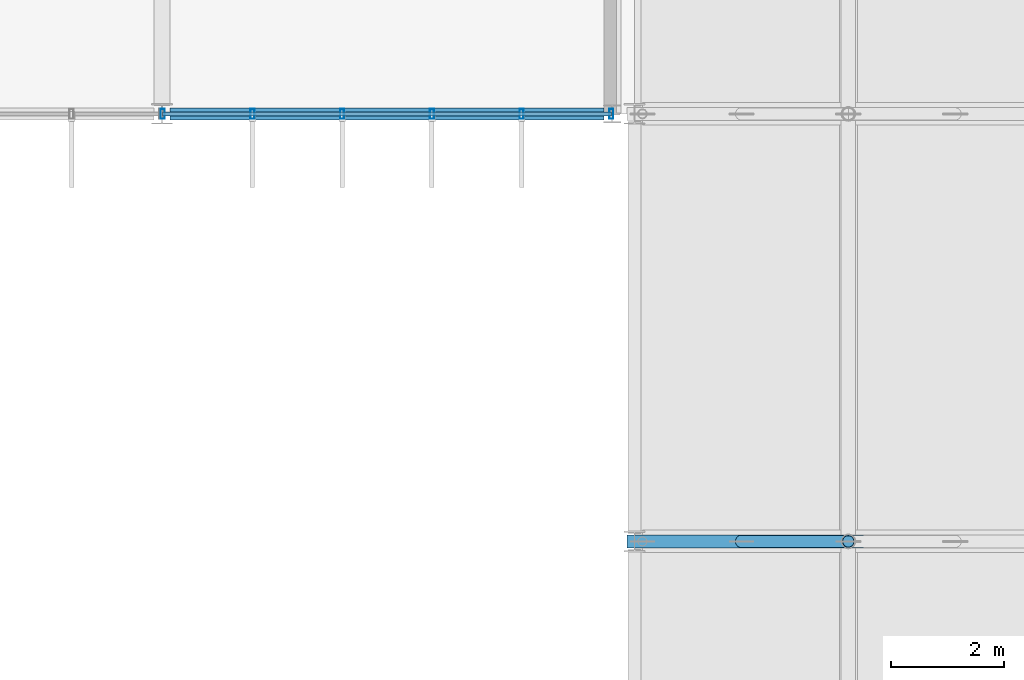
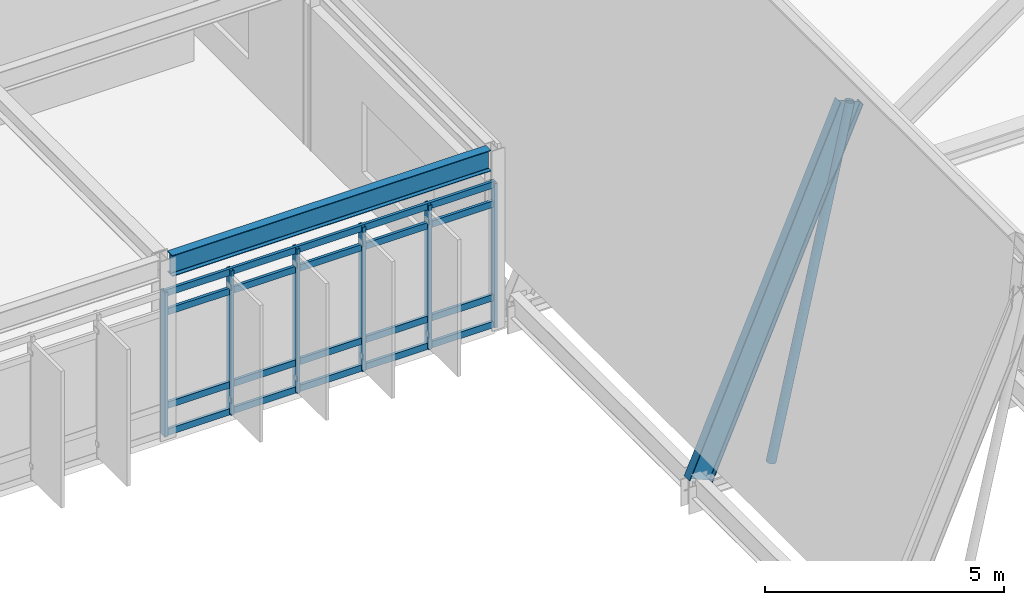
# One storey, part 44 of 100: 11 members, 2 beams, 1 element without a shape of its own.
"""IFC4 building model written with IfcOpenShell, lengths in metres."""

import ifcopenshell
import ifcopenshell.guid

model = None  # the IFC model being written
_history = None  # IfcOwnerHistory: only IFC2X3 demands one
_inside = {}  # id of a spatial element -> (the spatial element, [elements in it])
_under = {}  # id of a project, library or spatial element -> (it, [spatial elements below it])
_declared = {}  # id of a project -> (the project, [libraries it declares])
_typed = {}  # id of a type object -> (the type object, [elements of that type])
_made_of = {}  # id of a material, layer set ... -> (it, [elements and type objects made of it])


def new_model(schema):
    """Start an empty IFC model of exactly this schema.

    Asked for "IFC4X3", IfcOpenShell would pick the latest addendum, in which some entities
    have other attributes; the version numbers below select the first issue.
    IFC2X3 requires an IfcOwnerHistory on every rooted entity: one is made here for all.
    """
    global model, _history
    if schema == "IFC4X3":
        model = ifcopenshell.file(schema_version=(4, 3, 0, 0))
    else:
        model = ifcopenshell.file(schema=schema)
    _inside.clear()
    _under.clear()
    _declared.clear()
    _typed.clear()
    _made_of.clear()
    _history = None
    if model.schema == "IFC2X3":
        org = make("IfcOrganization", Name="unknown")
        user = make(
            "IfcPersonAndOrganization",
            ThePerson=make("IfcPerson", FamilyName="unknown"),
            TheOrganization=org,
        )
        app = make(
            "IfcApplication",
            ApplicationDeveloper=org,
            Version="unknown",
            ApplicationFullName="unknown",
            ApplicationIdentifier="unknown",
        )
        _history = make(
            "IfcOwnerHistory",
            OwningUser=user,
            OwningApplication=app,
            ChangeAction="ADDED",
            CreationDate=0,
        )
    return model


def make(cls, **values):
    """One entity of the class cls with the attributes given. An attribute that is None is left unset."""
    return model.create_entity(
        cls, **{name: value for name, value in values.items() if value is not None}
    )


def rooted(cls, **values):
    """An entity with a GlobalId (a new one), such as an element, a storey or a relation."""
    return make(cls, GlobalId=ifcopenshell.guid.new(), OwnerHistory=_history, **values)


def si_unit(unit_type, name, prefix=None):
    """IfcSIUnit, for example si_unit("LENGTHUNIT", "METRE", prefix="MILLI")."""
    return make("IfcSIUnit", UnitType=unit_type, Prefix=prefix, Name=name)


def assignment(units):
    """IfcUnitAssignment: the units of a project."""
    return None if units is None else make("IfcUnitAssignment", Units=units)


def point(xyz):
    """IfcCartesianPoint."""
    return None if xyz is None else make("IfcCartesianPoint", Coordinates=xyz)


def direction(xyz):
    """IfcDirection."""
    return None if xyz is None else make("IfcDirection", DirectionRatios=xyz)


def frame(location, z_axis=None, x_axis=None):
    """IfcAxis2Placement3D, a coordinate frame: its origin and axes. An axis left out is left unset."""
    return make(
        "IfcAxis2Placement3D",
        Location=point(location),
        Axis=direction(z_axis),
        RefDirection=direction(x_axis),
    )


def frame_2d(location, x_axis=None):
    """IfcAxis2Placement2D, a coordinate frame in the plane: its origin and x axis."""
    return make(
        "IfcAxis2Placement2D", Location=point(location), RefDirection=direction(x_axis)
    )


def origin():
    """The frame at (0, 0, 0) with its axes left unset."""
    return frame((0.0, 0.0, 0.0))


def origin_2d():
    """The frame at (0, 0) in the plane with its x axis left unset."""
    return frame_2d((0.0, 0.0))


def place(relative_to, where):
    """IfcLocalPlacement: puts the frame where relative to a parent placement (None: the world)."""
    return make(
        "IfcLocalPlacement", PlacementRelTo=relative_to, RelativePlacement=where
    )


def context(
    kind, dimensions, precision=None, world=None, true_north=None, identifier=None
):
    """IfcGeometricRepresentationContext, for example the 3D "Model" context."""
    return make(
        "IfcGeometricRepresentationContext",
        ContextIdentifier=identifier,
        ContextType=kind,
        CoordinateSpaceDimension=dimensions,
        Precision=precision,
        WorldCoordinateSystem=world,
        TrueNorth=true_north,
    )


def subcontext(parent, identifier, kind, view, scale=None):
    """IfcGeometricRepresentationSubContext, for example "Body" below "Model"."""
    return make(
        "IfcGeometricRepresentationSubContext",
        ContextIdentifier=identifier,
        ContextType=kind,
        ParentContext=parent,
        TargetScale=scale,
        TargetView=view,
    )


def project(units=None, contexts=None):
    """IfcProject with its units and contexts."""
    return rooted(
        "IfcProject",
        Name="project",
        RepresentationContexts=contexts,
        UnitsInContext=assignment(units),
    )


def spatial(cls, under=None, at=None, **own):
    """A site, building, storey or space (cls), placed at a placement, below another one or the project."""
    s = rooted(cls, ObjectPlacement=at, **own)
    if under is not None:
        _under.setdefault(under.id(), (under, []))[1].append(s)
    return s


def profile(cls, at=None, kind="AREA", **sizes):
    """A parametric profile (cls). Its sizes go by their IFC names, for example OverallWidth=200.0."""
    return make(cls, ProfileType=kind, Position=at, **sizes)


def hollow_rectangle(**sizes):
    """IfcRectangleHollowProfileDef."""
    return profile("IfcRectangleHollowProfileDef", **sizes)


def hollow_circle(**sizes):
    """IfcCircleHollowProfileDef."""
    return profile("IfcCircleHollowProfileDef", **sizes)


def i_section(**sizes):
    """IfcIShapeProfileDef."""
    return profile("IfcIShapeProfileDef", **sizes)


def extrude(swept, where, along, depth):
    """IfcExtrudedAreaSolid: the profile swept, set in the frame where, extruded along a direction by depth."""
    return make(
        "IfcExtrudedAreaSolid",
        SweptArea=swept,
        Position=where,
        ExtrudedDirection=direction(along),
        Depth=depth,
    )


def shape(context_of_items, identifier, shape_type, items):
    """IfcShapeRepresentation: the items that make up one representation, for example the "Body"."""
    return make(
        "IfcShapeRepresentation",
        ContextOfItems=context_of_items,
        RepresentationIdentifier=identifier,
        RepresentationType=shape_type,
        Items=items,
    )


def material(Name=None, Category=None):
    """IfcMaterial."""
    return make("IfcMaterial", Name=Name, Category=Category)


def material_profile(
    of_material, cross_section, Name=None, Category=None, Priority=None
):
    """IfcMaterialProfile: a cross section and its material."""
    return make(
        "IfcMaterialProfile",
        Name=Name,
        Material=of_material,
        Profile=cross_section,
        Priority=Priority,
        Category=Category,
    )


def profile_set(profiles, Name=None, composite=None):
    """IfcMaterialProfileSet."""
    return make(
        "IfcMaterialProfileSet",
        Name=Name,
        MaterialProfiles=profiles,
        CompositeProfile=composite,
    )


def made_of(thing, what):
    """Note that an element or type object is made of a material, layer set ...; save() writes the relation."""
    if what is not None:
        _made_of.setdefault(what.id(), (what, []))[1].append(thing)
    return thing


def type_object(cls, material=None, **own):
    """A type object (cls), such as IfcWallType, which elements share."""
    return made_of(rooted(cls, **own), material)


def element(
    cls,
    number,
    at=None,
    inside=None,
    cuts=None,
    type_object=None,
    material=None,
    context=None,
    identifier="Body",
    shape_type=None,
    held_by="IfcProductDefinitionShape",
    body=None,
    shapes=None,
    **own,
):
    """One element of the class cls, such as IfcWall. Its Tag is "e" and its number.

    at: its placement. inside: the storey or other place that contains it. cuts: it is an
    opening in that element (IfcRelVoidsElement). A single representation is given by context,
    identifier, shape_type and body (its items); several are given by shapes. held_by: the class
    of the entity that holds the representations. save() writes the other relations.
    """
    e = rooted(cls, Tag="e%d" % number, ObjectPlacement=at, **own)
    if body is not None:
        shapes = [shape(context, identifier, shape_type, body)]
    if shapes is not None:
        e.Representation = make(held_by, Representations=shapes)
    if inside is not None:
        _inside.setdefault(inside.id(), (inside, []))[1].append(e)
    if cuts is not None:
        rooted(
            "IfcRelVoidsElement", RelatingBuildingElement=cuts, RelatedOpeningElement=e
        )
    if type_object is not None:
        _typed.setdefault(type_object.id(), (type_object, []))[1].append(e)
    return made_of(e, material)


def aggregate(whole, parts):
    """IfcRelAggregates: a whole, such as a stair, and the parts it consists of."""
    return rooted("IfcRelAggregates", RelatingObject=whole, RelatedObjects=parts)


def save(model, path):
    """Write the relations noted so far, then the file.

    IfcRelAggregates (storeys below a building ...), IfcRelContainedInSpatialStructure (elements
    in a storey), IfcRelDefinesByType, IfcRelAssociatesMaterial and IfcRelDeclares: one each for
    every whole, place, type object, material and project.
    """
    for whole, parts in _under.values():
        aggregate(whole, parts)
    for where, things in _inside.values():
        rooted(
            "IfcRelContainedInSpatialStructure",
            RelatedElements=things,
            RelatingStructure=where,
        )
    for kind, things in _typed.values():
        rooted("IfcRelDefinesByType", RelatedObjects=things, RelatingType=kind)
    for what, things in _made_of.values():
        rooted("IfcRelAssociatesMaterial", RelatedObjects=things, RelatingMaterial=what)
    for by, libraries in _declared.values():
        rooted("IfcRelDeclares", RelatingContext=by, RelatedDefinitions=libraries)
    model.write(path)


model = new_model("IFC4")

# Units and contexts
model_context = context("Model", 3, precision=1e-05, world=origin(), true_north=direction((0.0, 1.0)))
body_context = subcontext(model_context, "Body", "Model", "MODEL_VIEW")
ifc_project = project(units=[si_unit("LENGTHUNIT", "METRE"), si_unit("AREAUNIT", "SQUARE_METRE"), si_unit("VOLUMEUNIT", "CUBIC_METRE"), si_unit("PLANEANGLEUNIT", "RADIAN"), si_unit("MASSUNIT", "GRAM", prefix="KILO")], contexts=[model_context])

# Site, building, storey
site_placement = place(None, origin())
site = spatial("IfcSite", under=ifc_project, at=site_placement, CompositionType="ELEMENT")
building_placement = place(site_placement, origin())
building = spatial("IfcBuilding", under=site, at=building_placement, Name="Zulena Civic Courthouse", CompositionType="ELEMENT")
storey_placement = place(building_placement, frame((0.0, 0.0, 20.39990234375)))
storey = spatial("IfcBuildingStorey", under=building, at=storey_placement, Name="L04", CompositionType="ELEMENT", Elevation=20.39990234375)

# Curtain wall, members
ifc_material_1 = material(Name="Double-silver low-E laminated solar-control glass", Category="glass")
curtain_wall_type = type_object("IfcCurtainWallType", Name="CW_7976x3690", PredefinedType="USERDEFINED", material=ifc_material_1)
curtain_wall_placement = place(storey_placement, origin())
curtain_wall = element("IfcCurtainWall", 1, at=curtain_wall_placement, inside=storey, type_object=curtain_wall_type, Name="cw:V4:L04:3:0", ObjectType="UNITISED CURTAIN WALL", PredefinedType="USERDEFINED")
ifc_material_2 = material(Name="Bronze anodised thermally broken aluminium AA6063-T6", Category="aluminium")
ifc_material_profile_1 = material_profile(ifc_material_2, hollow_rectangle(XDim=0.074951171875, YDim=0.179931640625, WallThickness=0.0048828125, at=origin_2d()), Name="CWM180X75X5")
ifc_profile_set_1 = profile_set([ifc_material_profile_1], Name="Bronze anodised thermally broken aluminium AA6063-T6")
member_type_1 = type_object("IfcMemberType", Name="CWMullion_180x75", PredefinedType="MULLION", material=ifc_profile_set_1)
member_1_placement = place(storey_placement, frame((123.988037109375, 15.199951171875, 0.0), z_axis=(0.0, 0.0, 1.0), x_axis=(1.0, 0.0, 0.0)))
member_1 = element("IfcMember", 2, at=member_1_placement, type_object=member_type_1, Name="cw:V4:L04:3:0:mull:0", PredefinedType="MULLION", context=body_context, shape_type="SweptSolid", body=[
    extrude(hollow_rectangle(XDim=0.074951171875, YDim=0.179931640625, WallThickness=0.0048828125, at=origin_2d()), origin(), (0.0, 0.0, 1.0), 3.690185546875),
])
member_2_placement = place(storey_placement, frame((122.392822265625, 15.199951171875, 0.0), z_axis=(0.0, 0.0, 1.0), x_axis=(1.0, 0.0, 0.0)))
member_2 = element("IfcMember", 3, at=member_2_placement, type_object=member_type_1, Name="cw:V4:L04:3:0:mull:1", PredefinedType="MULLION", context=body_context, shape_type="SweptSolid", body=[
    extrude(hollow_rectangle(XDim=0.074951171875, YDim=0.179931640625, WallThickness=0.0048828125, at=origin_2d()), origin(), (0.0, 0.0, 1.0), 3.690185546875),
])
member_3_placement = place(storey_placement, frame((120.797607421875, 15.199951171875, 0.0), z_axis=(0.0, 0.0, 1.0), x_axis=(1.0, 0.0, 0.0)))
member_3 = element("IfcMember", 4, at=member_3_placement, type_object=member_type_1, Name="cw:V4:L04:3:0:mull:2", PredefinedType="MULLION", context=body_context, shape_type="SweptSolid", body=[
    extrude(hollow_rectangle(XDim=0.074951171875, YDim=0.179931640625, WallThickness=0.0048828125, at=origin_2d()), origin(), (0.0, 0.0, 1.0), 3.690185546875),
])
member_4_placement = place(storey_placement, frame((119.202392578125, 15.199951171875, 0.0), z_axis=(0.0, 0.0, 1.0), x_axis=(1.0, 0.0, 0.0)))
member_4 = element("IfcMember", 5, at=member_4_placement, type_object=member_type_1, Name="cw:V4:L04:3:0:mull:3", PredefinedType="MULLION", context=body_context, shape_type="SweptSolid", body=[
    extrude(hollow_rectangle(XDim=0.074951171875, YDim=0.179931640625, WallThickness=0.0048828125, at=origin_2d()), origin(), (0.0, 0.0, 1.0), 3.690185546875),
])
member_5_placement = place(storey_placement, frame((117.607177734375, 15.199951171875, 0.0), z_axis=(0.0, 0.0, 1.0), x_axis=(1.0, 0.0, 0.0)))
member_5 = element("IfcMember", 6, at=member_5_placement, type_object=member_type_1, Name="cw:V4:L04:3:0:mull:4", PredefinedType="MULLION", context=body_context, shape_type="SweptSolid", body=[
    extrude(hollow_rectangle(XDim=0.074951171875, YDim=0.179931640625, WallThickness=0.0048828125, at=origin_2d()), origin(), (0.0, 0.0, 1.0), 3.690185546875),
])
member_6_placement = place(storey_placement, frame((116.011962890625, 15.199951171875, 0.0), z_axis=(0.0, 0.0, 1.0), x_axis=(1.0, 0.0, 0.0)))
member_6 = element("IfcMember", 7, at=member_6_placement, type_object=member_type_1, Name="cw:V4:L04:3:0:mull:5", PredefinedType="MULLION", context=body_context, shape_type="SweptSolid", body=[
    extrude(hollow_rectangle(XDim=0.074951171875, YDim=0.179931640625, WallThickness=0.0048828125, at=origin_2d()), origin(), (0.0, 0.0, 1.0), 3.690185546875),
])
ifc_material_profile_2 = material_profile(ifc_material_2, hollow_rectangle(XDim=0.070068359375, YDim=0.1650390625, WallThickness=0.00390625, at=origin_2d()), Name="CWT165X70X4")
ifc_profile_set_2 = profile_set([ifc_material_profile_2], Name="Bronze anodised thermally broken aluminium AA6063-T6")
member_type_2 = type_object("IfcMemberType", Name="CWTransom_165x70", PredefinedType="USERDEFINED", material=ifc_profile_set_2)
member_7_placement = place(storey_placement, frame((123.988037109375, 15.199951171875, 0.06005859375), z_axis=(-1.0, 0.0, 0.0), x_axis=(0.0, -1.0, 0.0)))
member_7 = element("IfcMember", 8, at=member_7_placement, type_object=member_type_2, Name="cw:V4:L04:3:0:tran:0", ObjectType="TRANSOM", PredefinedType="USERDEFINED", context=body_context, shape_type="SweptSolid", body=[
    extrude(hollow_rectangle(XDim=0.070068359375, YDim=0.1650390625, WallThickness=0.00390625, at=origin_2d()), origin(), (0.0, 0.0, 1.0), 7.97607421875),
])
member_8_placement = place(storey_placement, frame((123.988037109375, 15.199951171875, 0.75), z_axis=(-1.0, 0.0, 0.0), x_axis=(0.0, -1.0, 0.0)))
member_8 = element("IfcMember", 9, at=member_8_placement, type_object=member_type_2, Name="cw:V4:L04:3:0:tran:1", ObjectType="TRANSOM", PredefinedType="USERDEFINED", context=body_context, shape_type="SweptSolid", body=[
    extrude(hollow_rectangle(XDim=0.070068359375, YDim=0.1650390625, WallThickness=0.00390625, at=origin_2d()), origin(), (0.0, 0.0, 1.0), 7.97607421875),
])
member_9_placement = place(storey_placement, frame((123.988037109375, 15.199951171875, 3.14013671875), z_axis=(-1.0, 0.0, 0.0), x_axis=(0.0, -1.0, 0.0)))
member_9 = element("IfcMember", 10, at=member_9_placement, type_object=member_type_2, Name="cw:V4:L04:3:0:tran:2", ObjectType="TRANSOM", PredefinedType="USERDEFINED", context=body_context, shape_type="SweptSolid", body=[
    extrude(hollow_rectangle(XDim=0.070068359375, YDim=0.1650390625, WallThickness=0.00390625, at=origin_2d()), origin(), (0.0, 0.0, 1.0), 7.97607421875),
])
member_10_placement = place(storey_placement, frame((123.988037109375, 15.199951171875, 3.630126953125), z_axis=(-1.0, 0.0, 0.0), x_axis=(0.0, -1.0, 0.0)))
member_10 = element("IfcMember", 11, at=member_10_placement, type_object=member_type_2, Name="cw:V4:L04:3:0:tran:3", ObjectType="TRANSOM", PredefinedType="USERDEFINED", context=body_context, shape_type="SweptSolid", body=[
    extrude(hollow_rectangle(XDim=0.070068359375, YDim=0.1650390625, WallThickness=0.00390625, at=origin_2d()), origin(), (0.0, 0.0, 1.0), 7.97607421875),
])
aggregate(curtain_wall, [member_1, member_2, member_3, member_4, member_5, member_6, member_7, member_8, member_9, member_10])

# Beam
ifc_material_3 = material(Name="Steel ASTM A992 Grade 50", Category="steel")
ifc_material_profile_3 = material_profile(ifc_material_3, i_section(OverallWidth=0.22802734375, OverallDepth=0.60693359375, WebThickness=0.01123046875, FlangeThickness=0.017333984375, FilletRadius=0.0126953125, at=origin_2d()), Name="W24X76")
ifc_profile_set_3 = profile_set([ifc_material_profile_3], Name="Steel ASTM A992 Grade 50")
beam_type_1 = type_object("IfcBeamType", Name="RoofRafter_W24X76", PredefinedType="BEAM", material=ifc_profile_set_3)
beam_1_placement = place(storey_placement, frame((124.5400390625, 7.60009765625, 0.485595703125), z_axis=(0.398521406617, 0.0, 0.917159031176), x_axis=(0.0, 1.0, 0.0)))
element("IfcBeam", 12, at=beam_1_placement, inside=storey, type_object=beam_type_1, Name="beam:fold:rafW:05:7.6", PredefinedType="BEAM", context=body_context, shape_type="SweptSolid", body=[
    extrude(i_section(OverallWidth=0.22802734375, OverallDepth=0.60693359375, WebThickness=0.01123046875, FlangeThickness=0.017333984375, FilletRadius=0.0126953125, at=origin_2d()), origin(), (0.0, 0.0, 1.0), 9.15869140625),
])

# Member
ifc_material_4 = material(Name="Steel ASTM A500 Grade C", Category="steel")
ifc_material_profile_4 = material_profile(ifc_material_4, hollow_circle(Radius=0.109619140625, WallThickness=0.0087890625, at=origin_2d()), Name="HSS8.625X0.375")
ifc_profile_set_4 = profile_set([ifc_material_profile_4], Name="Steel ASTM A500 Grade C")
member_type_3 = type_object("IfcMemberType", Name="RoofWeb_CHS8", PredefinedType="USERDEFINED", material=ifc_profile_set_4)
member_11_placement = place(storey_placement, frame((126.300048828125, 7.60009765625, 0.325439453125), z_axis=(0.216676912276, 0.0, 0.976243369087), x_axis=(0.0, 1.0, 0.0)))
element("IfcMember", 13, at=member_11_placement, inside=storey, type_object=member_type_3, Name="mem:fold:diagW:05:7.6", ObjectType="ROOF TRUSS", PredefinedType="USERDEFINED", context=body_context, shape_type="SweptSolid", body=[
    extrude(hollow_circle(Radius=0.109619140625, WallThickness=0.0087890625, at=origin_2d()), origin(), (0.0, 0.0, 1.0), 8.768310546875),
])

# Beam
ifc_material_profile_5 = material_profile(ifc_material_3, i_section(OverallWidth=0.2099609375, OverallDepth=0.537109375, WebThickness=0.010986328125, FlangeThickness=0.017333984375, FilletRadius=0.0126953125, at=origin_2d()), Name="W21X68")
ifc_profile_set_5 = profile_set([ifc_material_profile_5], Name="Steel ASTM A992 Grade 50")
beam_type_2 = type_object("IfcBeamType", Name="Spandrel_W21X68", PredefinedType="SPANDREL", material=ifc_profile_set_5)
beam_2_placement = place(storey_placement, frame((116.14501953125, 15.199951171875, 4.32666015625), z_axis=(1.0, 0.0, 0.0), x_axis=(0.0, 1.0, 0.0)))
element("IfcBeam", 14, at=beam_2_placement, inside=storey, type_object=beam_type_2, Name="beam:X:V4:L04:15.2:116.0_124.0", PredefinedType="SPANDREL", context=body_context, shape_type="SweptSolid", body=[
    extrude(i_section(OverallWidth=0.2099609375, OverallDepth=0.537109375, WebThickness=0.010986328125, FlangeThickness=0.017333984375, FilletRadius=0.0126953125, at=origin_2d()), origin(), (0.0, 0.0, 1.0), 7.7099609375),
])

save(model, "model.ifc")
